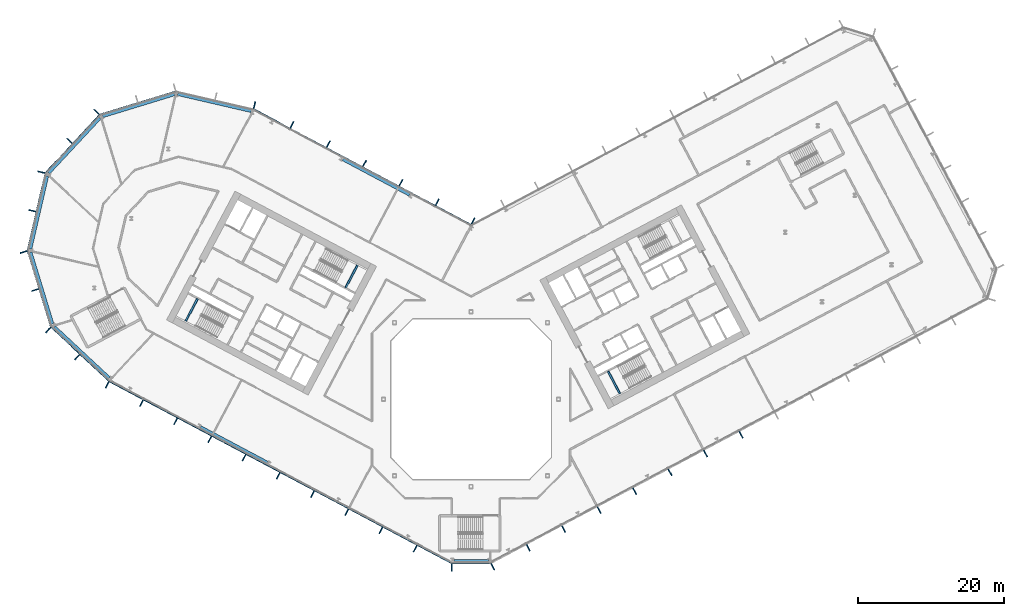
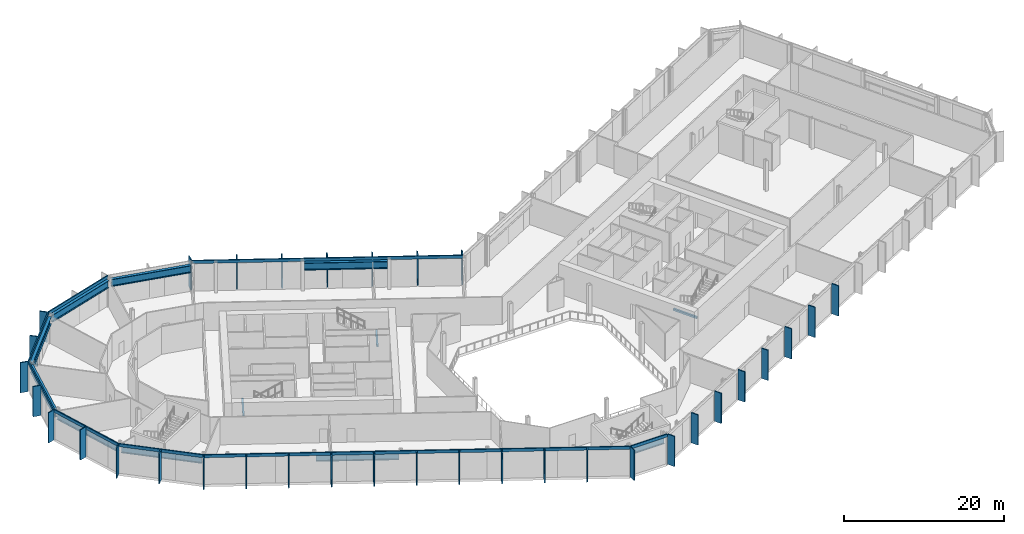
# One storey, part 7 of 30: 42 members, 12 beams, 10 elements without a shape of their own.
"""IFC4 building model written with IfcOpenShell, lengths in metres."""

from ifc_helpers import new_model, si_unit, direction, frame, origin, origin_2d, place, context, subcontext, project, spatial, rectangle, i_section, extrude, material, layer, layer_set, material_profile, profile_set, type_object, element, aggregate, save


model = new_model("IFC4")

# Units and contexts
model_context = context("Model", 3, precision=1e-05, world=origin(), true_north=direction((0.0, 1.0)))
body_context = subcontext(model_context, "Body", "Model", "MODEL_VIEW")
ifc_project = project(units=[si_unit("LENGTHUNIT", "METRE"), si_unit("AREAUNIT", "SQUARE_METRE"), si_unit("VOLUMEUNIT", "CUBIC_METRE"), si_unit("PLANEANGLEUNIT", "RADIAN"), si_unit("MASSUNIT", "GRAM", prefix="KILO")], contexts=[model_context])

# Site, building, storey
site_placement = place(None, origin())
site = spatial("IfcSite", under=ifc_project, at=site_placement, CompositionType="ELEMENT")
building_placement = place(site_placement, origin())
building = spatial("IfcBuilding", under=site, at=building_placement, Name="Cormorant Relay Tower", CompositionType="ELEMENT")
storey_placement = place(building_placement, frame((0.0, 0.0, 84.60009765625)))
storey = spatial("IfcBuildingStorey", under=building, at=storey_placement, Name="L16", CompositionType="ELEMENT", Elevation=84.60009765625)

# Curtain wall, member
ifc_material_1 = material(Name="Aluminium 6063-T6 anodised bronze", Category="aluminium")
ifc_layer = layer(ifc_material_1, 0.199951171875)
ifc_layer_set = layer_set([ifc_layer], Name="CW1 unitised bronze curtain wall with vertical fins")
curtain_wall_type = type_object("IfcCurtainWallType", Name="CW1 unitised bronze curtain wall with vertical fins", PredefinedType="NOTDEFINED", material=ifc_layer_set)
curtain_wall_1_placement = place(storey_placement, origin())
curtain_wall_1 = element("IfcCurtainWall", 1, at=curtain_wall_1_placement, inside=storey, type_object=curtain_wall_type, Name="CW1 curtain wall 1", PredefinedType="NOTDEFINED")
ifc_material_2 = material(Name="Aluminium 6063-T6 anodised bronze", Category="aluminium")
ifc_material_profile_1 = material_profile(ifc_material_2, rectangle(XDim=0.14990234375, YDim=1.0, at=origin_2d()), Name="AL 150x1000")
ifc_profile_set_1 = profile_set([ifc_material_profile_1], Name="Aluminium 6063-T6 anodised bronze")
member_type_1 = type_object("IfcMemberType", Name="CW1 bronze fin mullion 150 x 1000", PredefinedType="MULLION", material=ifc_profile_set_1)
member_1_placement = place(storey_placement, frame((-2.648681640625, -23.07568359375, 0.0), z_axis=(0.0, 0.0, 1.0), x_axis=(1.0, 0.0, 0.0)))
member_1 = element("IfcMember", 2, at=member_1_placement, type_object=member_type_1, Name="CW1 fin 1.1", PredefinedType="MULLION", context=body_context, shape_type="SweptSolid", body=[
    extrude(rectangle(XDim=0.14990234375, YDim=1.0, at=origin_2d()), origin(), (0.0, 0.0, 1.0), 4.599853515625),
])

# Curtain wall, members
curtain_wall_2_placement = place(storey_placement, origin())
curtain_wall_2 = element("IfcCurtainWall", 3, at=curtain_wall_2_placement, inside=storey, type_object=curtain_wall_type, Name="CW1 curtain wall 2", PredefinedType="NOTDEFINED")
member_2_placement = place(storey_placement, frame((2.9775390625, -22.99365234375, 0.0), z_axis=(0.0, 0.0, 1.0), x_axis=(0.882947592859, 0.469471562786, 0.0)))
member_2 = element("IfcMember", 4, at=member_2_placement, type_object=member_type_1, Name="CW1 fin 2.1", PredefinedType="MULLION", context=body_context, shape_type="SweptSolid", body=[
    extrude(rectangle(XDim=0.14990234375, YDim=1.0, at=origin_2d()), origin(), (0.0, 0.0, 1.0), 4.599853515625),
])
member_3_placement = place(storey_placement, frame((7.843994140625, -20.406005859375, 0.0), z_axis=(0.0, 0.0, 1.0), x_axis=(0.882947592859, 0.469471562786, 0.0)))
member_3 = element("IfcMember", 5, at=member_3_placement, type_object=member_type_1, Name="CW1 fin 2.2", PredefinedType="MULLION", context=body_context, shape_type="SweptSolid", body=[
    extrude(rectangle(XDim=0.14990234375, YDim=1.0, at=origin_2d()), origin(), (0.0, 0.0, 1.0), 4.599853515625),
])
member_4_placement = place(storey_placement, frame((12.710693359375, -17.818359375, 0.0), z_axis=(0.0, 0.0, 1.0), x_axis=(0.882947592859, 0.469471562786, 0.0)))
member_4 = element("IfcMember", 6, at=member_4_placement, type_object=member_type_1, Name="CW1 fin 2.3", PredefinedType="MULLION", context=body_context, shape_type="SweptSolid", body=[
    extrude(rectangle(XDim=0.14990234375, YDim=1.0, at=origin_2d()), origin(), (0.0, 0.0, 1.0), 4.599853515625),
])
member_5_placement = place(storey_placement, frame((17.577392578125, -15.230712890625, 0.0), z_axis=(0.0, 0.0, 1.0), x_axis=(0.882947592859, 0.469471562786, 0.0)))
member_5 = element("IfcMember", 7, at=member_5_placement, type_object=member_type_1, Name="CW1 fin 2.4", PredefinedType="MULLION", context=body_context, shape_type="SweptSolid", body=[
    extrude(rectangle(XDim=0.14990234375, YDim=1.0, at=origin_2d()), origin(), (0.0, 0.0, 1.0), 4.599853515625),
])
member_6_placement = place(storey_placement, frame((22.444091796875, -12.64306640625, 0.0), z_axis=(0.0, 0.0, 1.0), x_axis=(0.882947592859, 0.469471562786, 0.0)))
member_6 = element("IfcMember", 8, at=member_6_placement, type_object=member_type_1, Name="CW1 fin 2.5", PredefinedType="MULLION", context=body_context, shape_type="SweptSolid", body=[
    extrude(rectangle(XDim=0.14990234375, YDim=1.0, at=origin_2d()), origin(), (0.0, 0.0, 1.0), 4.599853515625),
])
member_7_placement = place(storey_placement, frame((27.310791015625, -10.055419921875, 0.0), z_axis=(0.0, 0.0, 1.0), x_axis=(0.882947592859, 0.469471562786, 0.0)))
member_7 = element("IfcMember", 9, at=member_7_placement, type_object=member_type_1, Name="CW1 fin 2.6", PredefinedType="MULLION", context=body_context, shape_type="SweptSolid", body=[
    extrude(rectangle(XDim=0.14990234375, YDim=1.0, at=origin_2d()), origin(), (0.0, 0.0, 1.0), 4.599853515625),
])
member_8_placement = place(storey_placement, frame((32.177490234375, -7.4677734375, 0.0), z_axis=(0.0, 0.0, 1.0), x_axis=(0.882947592859, 0.469471562786, 0.0)))
member_8 = element("IfcMember", 10, at=member_8_placement, type_object=member_type_1, Name="CW1 fin 2.7", PredefinedType="MULLION", context=body_context, shape_type="SweptSolid", body=[
    extrude(rectangle(XDim=0.14990234375, YDim=1.0, at=origin_2d()), origin(), (0.0, 0.0, 1.0), 4.599853515625),
])
member_9_placement = place(storey_placement, frame((37.044189453125, -4.8798828125, 0.0), z_axis=(0.0, 0.0, 1.0), x_axis=(0.882947592859, 0.469471562786, 0.0)))
member_9 = element("IfcMember", 11, at=member_9_placement, type_object=member_type_1, Name="CW1 fin 2.8", PredefinedType="MULLION", context=body_context, shape_type="SweptSolid", body=[
    extrude(rectangle(XDim=0.14990234375, YDim=1.0, at=origin_2d()), origin(), (0.0, 0.0, 1.0), 4.599853515625),
])
aggregate(curtain_wall_2, [member_2, member_3, member_4, member_5, member_6, member_7, member_8, member_9])

curtain_wall_3_placement = place(storey_placement, origin())
curtain_wall_3 = element("IfcCurtainWall", 12, at=curtain_wall_3_placement, inside=storey, type_object=curtain_wall_type, Name="CW1 curtain wall 7", PredefinedType="NOTDEFINED")
member_10_placement = place(storey_placement, frame((0.262451171875, 24.437255859375, 0.0), z_axis=(0.0, 0.0, 1.0), x_axis=(-0.882947592859, 0.469471562786, 0.0)))
member_10 = element("IfcMember", 13, at=member_10_placement, type_object=member_type_1, Name="CW1 fin 7.1", PredefinedType="MULLION", context=body_context, shape_type="SweptSolid", body=[
    extrude(rectangle(XDim=0.14990234375, YDim=1.0, at=origin_2d()), origin(), (0.0, 0.0, 1.0), 4.599853515625),
])
member_11_placement = place(storey_placement, frame((-4.650390625, 27.04931640625, 0.0), z_axis=(0.0, 0.0, 1.0), x_axis=(-0.882947592859, 0.469471562786, 0.0)))
member_11 = element("IfcMember", 14, at=member_11_placement, type_object=member_type_1, Name="CW1 fin 7.2", PredefinedType="MULLION", context=body_context, shape_type="SweptSolid", body=[
    extrude(rectangle(XDim=0.14990234375, YDim=1.0, at=origin_2d()), origin(), (0.0, 0.0, 1.0), 4.599853515625),
])
member_12_placement = place(storey_placement, frame((-9.62939453125, 29.69677734375, 0.0), z_axis=(0.0, 0.0, 1.0), x_axis=(-0.882947592859, 0.469471562786, 0.0)))
member_12 = element("IfcMember", 15, at=member_12_placement, type_object=member_type_1, Name="CW1 fin 7.3", PredefinedType="MULLION", context=body_context, shape_type="SweptSolid", body=[
    extrude(rectangle(XDim=0.14990234375, YDim=1.0, at=origin_2d()), origin(), (0.0, 0.0, 1.0), 4.599853515625),
])
member_13_placement = place(storey_placement, frame((-14.608154296875, 32.343994140625, 0.0), z_axis=(0.0, 0.0, 1.0), x_axis=(-0.882947592859, 0.469471562786, 0.0)))
member_13 = element("IfcMember", 16, at=member_13_placement, type_object=member_type_1, Name="CW1 fin 7.4", PredefinedType="MULLION", context=body_context, shape_type="SweptSolid", body=[
    extrude(rectangle(XDim=0.14990234375, YDim=1.0, at=origin_2d()), origin(), (0.0, 0.0, 1.0), 4.599853515625),
])
member_14_placement = place(storey_placement, frame((-19.587158203125, 34.991455078125, 0.0), z_axis=(0.0, 0.0, 1.0), x_axis=(-0.882947592859, 0.469471562786, 0.0)))
member_14 = element("IfcMember", 17, at=member_14_placement, type_object=member_type_1, Name="CW1 fin 7.5", PredefinedType="MULLION", context=body_context, shape_type="SweptSolid", body=[
    extrude(rectangle(XDim=0.14990234375, YDim=1.0, at=origin_2d()), origin(), (0.0, 0.0, 1.0), 4.599853515625),
])
member_15_placement = place(storey_placement, frame((-24.566162109375, 37.638916015625, 0.0), z_axis=(0.0, 0.0, 1.0), x_axis=(-0.882947592859, 0.469471562786, 0.0)))
member_15 = element("IfcMember", 18, at=member_15_placement, type_object=member_type_1, Name="CW1 fin 7.6", PredefinedType="MULLION", context=body_context, shape_type="SweptSolid", body=[
    extrude(rectangle(XDim=0.14990234375, YDim=1.0, at=origin_2d()), origin(), (0.0, 0.0, 1.0), 4.599853515625),
])

# Curtain wall, member
curtain_wall_4_placement = place(storey_placement, origin())
curtain_wall_4 = element("IfcCurtainWall", 19, at=curtain_wall_4_placement, inside=storey, type_object=curtain_wall_type, Name="CW1 curtain wall 8", PredefinedType="NOTDEFINED")
member_16_placement = place(storey_placement, frame((-29.71630859375, 40.35009765625, 0.0), z_axis=(0.0, 0.0, 1.0), x_axis=(-0.974370064785, 0.224951054344, 0.0)))
member_16 = element("IfcMember", 20, at=member_16_placement, type_object=member_type_1, Name="CW1 fin 8.1", PredefinedType="MULLION", context=body_context, shape_type="SweptSolid", body=[
    extrude(rectangle(XDim=0.14990234375, YDim=1.0, at=origin_2d()), origin(), (0.0, 0.0, 1.0), 4.599853515625),
])
aggregate(curtain_wall_4, [member_16])

# Curtain wall, members
curtain_wall_5_placement = place(storey_placement, origin())
curtain_wall_5 = element("IfcCurtainWall", 21, at=curtain_wall_5_placement, inside=storey, type_object=curtain_wall_type, Name="CW1 curtain wall 10", PredefinedType="NOTDEFINED")
member_17_placement = place(storey_placement, frame((-51.372802734375, 39.41259765625, 0.0), z_axis=(0.0, 0.0, 1.0), x_axis=(-0.681998360062, -0.731353701619, 0.0)))
member_17 = element("IfcMember", 22, at=member_17_placement, type_object=member_type_1, Name="CW1 fin 10.1", PredefinedType="MULLION", context=body_context, shape_type="SweptSolid", body=[
    extrude(rectangle(XDim=0.14990234375, YDim=1.0, at=origin_2d()), origin(), (0.0, 0.0, 1.0), 4.599853515625),
])
member_18_placement = place(storey_placement, frame((-55.07958984375, 35.4375, 0.0), z_axis=(0.0, 0.0, 1.0), x_axis=(-0.681998360062, -0.731353701619, 0.0)))
member_18 = element("IfcMember", 23, at=member_18_placement, type_object=member_type_1, Name="CW1 fin 10.2", PredefinedType="MULLION", context=body_context, shape_type="SweptSolid", body=[
    extrude(rectangle(XDim=0.14990234375, YDim=1.0, at=origin_2d()), origin(), (0.0, 0.0, 1.0), 4.599853515625),
])

curtain_wall_6_placement = place(storey_placement, origin())
curtain_wall_6 = element("IfcCurtainWall", 24, at=curtain_wall_6_placement, inside=storey, type_object=curtain_wall_type, Name="CW1 curtain wall 11", PredefinedType="NOTDEFINED")
member_19_placement = place(storey_placement, frame((-58.95654296875, 31.142578125, 0.0), z_axis=(0.0, 0.0, 1.0), x_axis=(-0.224951054344, -0.974370064785, 0.0)))
member_19 = element("IfcMember", 25, at=member_19_placement, type_object=member_type_1, Name="CW1 fin 11.1", PredefinedType="MULLION", context=body_context, shape_type="SweptSolid", body=[
    extrude(rectangle(XDim=0.14990234375, YDim=1.0, at=origin_2d()), origin(), (0.0, 0.0, 1.0), 4.599853515625),
])
member_20_placement = place(storey_placement, frame((-60.17919921875, 25.8466796875, 0.0), z_axis=(0.0, 0.0, 1.0), x_axis=(-0.224951054344, -0.974370064785, 0.0)))
member_20 = element("IfcMember", 26, at=member_20_placement, type_object=member_type_1, Name="CW1 fin 11.2", PredefinedType="MULLION", context=body_context, shape_type="SweptSolid", body=[
    extrude(rectangle(XDim=0.14990234375, YDim=1.0, at=origin_2d()), origin(), (0.0, 0.0, 1.0), 4.599853515625),
])

curtain_wall_7_placement = place(storey_placement, origin())
curtain_wall_7 = element("IfcCurtainWall", 27, at=curtain_wall_7_placement, inside=storey, type_object=curtain_wall_type, Name="CW1 curtain wall 12", PredefinedType="NOTDEFINED")
member_21_placement = place(storey_placement, frame((-61.389404296875, 20.188720703125, 0.0), z_axis=(0.0, 0.0, 1.0), x_axis=(0.292371704723, -0.956304755963, 0.0)))
member_21 = element("IfcMember", 28, at=member_21_placement, type_object=member_type_1, Name="CW1 fin 12.1", PredefinedType="MULLION", context=body_context, shape_type="SweptSolid", body=[
    extrude(rectangle(XDim=0.14990234375, YDim=1.0, at=origin_2d()), origin(), (0.0, 0.0, 1.0), 4.599853515625),
])
member_22_placement = place(storey_placement, frame((-59.80029296875, 14.990966796875, 0.0), z_axis=(0.0, 0.0, 1.0), x_axis=(0.292371704723, -0.956304755963, 0.0)))
member_22 = element("IfcMember", 29, at=member_22_placement, type_object=member_type_1, Name="CW1 fin 12.2", PredefinedType="MULLION", context=body_context, shape_type="SweptSolid", body=[
    extrude(rectangle(XDim=0.14990234375, YDim=1.0, at=origin_2d()), origin(), (0.0, 0.0, 1.0), 4.599853515625),
])

curtain_wall_8_placement = place(storey_placement, origin())
curtain_wall_8 = element("IfcCurtainWall", 30, at=curtain_wall_8_placement, inside=storey, type_object=curtain_wall_type, Name="CW1 curtain wall 13", PredefinedType="NOTDEFINED")
member_23_placement = place(storey_placement, frame((-58.01904296875, 9.486083984375, 0.0), z_axis=(0.0, 0.0, 1.0), x_axis=(0.731353701619, -0.681998360062, 0.0)))
member_23 = element("IfcMember", 31, at=member_23_placement, type_object=member_type_1, Name="CW1 fin 13.1", PredefinedType="MULLION", context=body_context, shape_type="SweptSolid", body=[
    extrude(rectangle(XDim=0.14990234375, YDim=1.0, at=origin_2d()), origin(), (0.0, 0.0, 1.0), 4.599853515625),
])
member_24_placement = place(storey_placement, frame((-54.0439453125, 5.779296875, 0.0), z_axis=(0.0, 0.0, 1.0), x_axis=(0.731353701619, -0.681998360062, 0.0)))
member_24 = element("IfcMember", 32, at=member_24_placement, type_object=member_type_1, Name="CW1 fin 13.2", PredefinedType="MULLION", context=body_context, shape_type="SweptSolid", body=[
    extrude(rectangle(XDim=0.14990234375, YDim=1.0, at=origin_2d()), origin(), (0.0, 0.0, 1.0), 4.599853515625),
])

curtain_wall_9_placement = place(storey_placement, origin())
curtain_wall_9 = element("IfcCurtainWall", 33, at=curtain_wall_9_placement, inside=storey, type_object=curtain_wall_type, Name="CW1 curtain wall 14", PredefinedType="NOTDEFINED")
member_25_placement = place(storey_placement, frame((-49.920166015625, 1.96630859375, 0.0), z_axis=(0.0, 0.0, 1.0), x_axis=(0.882947592859, -0.469471562786, 0.0)))
member_25 = element("IfcMember", 34, at=member_25_placement, type_object=member_type_1, Name="CW1 fin 14.1", PredefinedType="MULLION", context=body_context, shape_type="SweptSolid", body=[
    extrude(rectangle(XDim=0.14990234375, YDim=1.0, at=origin_2d()), origin(), (0.0, 0.0, 1.0), 4.599853515625),
])
member_26_placement = place(storey_placement, frame((-45.225830078125, -0.52978515625, 0.0), z_axis=(0.0, 0.0, 1.0), x_axis=(0.882947592859, -0.469471562786, 0.0)))
member_26 = element("IfcMember", 35, at=member_26_placement, type_object=member_type_1, Name="CW1 fin 14.2", PredefinedType="MULLION", context=body_context, shape_type="SweptSolid", body=[
    extrude(rectangle(XDim=0.14990234375, YDim=1.0, at=origin_2d()), origin(), (0.0, 0.0, 1.0), 4.599853515625),
])
member_27_placement = place(storey_placement, frame((-40.531494140625, -3.025634765625, 0.0), z_axis=(0.0, 0.0, 1.0), x_axis=(0.882947592859, -0.469471562786, 0.0)))
member_27 = element("IfcMember", 36, at=member_27_placement, type_object=member_type_1, Name="CW1 fin 14.3", PredefinedType="MULLION", context=body_context, shape_type="SweptSolid", body=[
    extrude(rectangle(XDim=0.14990234375, YDim=1.0, at=origin_2d()), origin(), (0.0, 0.0, 1.0), 4.599853515625),
])
member_28_placement = place(storey_placement, frame((-35.83740234375, -5.521728515625, 0.0), z_axis=(0.0, 0.0, 1.0), x_axis=(0.882947592859, -0.469471562786, 0.0)))
member_28 = element("IfcMember", 37, at=member_28_placement, type_object=member_type_1, Name="CW1 fin 14.4", PredefinedType="MULLION", context=body_context, shape_type="SweptSolid", body=[
    extrude(rectangle(XDim=0.14990234375, YDim=1.0, at=origin_2d()), origin(), (0.0, 0.0, 1.0), 4.599853515625),
])
member_29_placement = place(storey_placement, frame((-31.14306640625, -8.017578125, 0.0), z_axis=(0.0, 0.0, 1.0), x_axis=(0.882947592859, -0.469471562786, 0.0)))
member_29 = element("IfcMember", 38, at=member_29_placement, type_object=member_type_1, Name="CW1 fin 14.5", PredefinedType="MULLION", context=body_context, shape_type="SweptSolid", body=[
    extrude(rectangle(XDim=0.14990234375, YDim=1.0, at=origin_2d()), origin(), (0.0, 0.0, 1.0), 4.599853515625),
])
member_30_placement = place(storey_placement, frame((-26.44873046875, -10.513671875, 0.0), z_axis=(0.0, 0.0, 1.0), x_axis=(0.882947592859, -0.469471562786, 0.0)))
member_30 = element("IfcMember", 39, at=member_30_placement, type_object=member_type_1, Name="CW1 fin 14.6", PredefinedType="MULLION", context=body_context, shape_type="SweptSolid", body=[
    extrude(rectangle(XDim=0.14990234375, YDim=1.0, at=origin_2d()), origin(), (0.0, 0.0, 1.0), 4.599853515625),
])
member_31_placement = place(storey_placement, frame((-21.754638671875, -13.009765625, 0.0), z_axis=(0.0, 0.0, 1.0), x_axis=(0.882947592859, -0.469471562786, 0.0)))
member_31 = element("IfcMember", 40, at=member_31_placement, type_object=member_type_1, Name="CW1 fin 14.7", PredefinedType="MULLION", context=body_context, shape_type="SweptSolid", body=[
    extrude(rectangle(XDim=0.14990234375, YDim=1.0, at=origin_2d()), origin(), (0.0, 0.0, 1.0), 4.599853515625),
])
member_32_placement = place(storey_placement, frame((-17.060302734375, -15.505615234375, 0.0), z_axis=(0.0, 0.0, 1.0), x_axis=(0.882947592859, -0.469471562786, 0.0)))
member_32 = element("IfcMember", 41, at=member_32_placement, type_object=member_type_1, Name="CW1 fin 14.8", PredefinedType="MULLION", context=body_context, shape_type="SweptSolid", body=[
    extrude(rectangle(XDim=0.14990234375, YDim=1.0, at=origin_2d()), origin(), (0.0, 0.0, 1.0), 4.599853515625),
])
member_33_placement = place(storey_placement, frame((-12.365966796875, -18.001708984375, 0.0), z_axis=(0.0, 0.0, 1.0), x_axis=(0.882947592859, -0.469471562786, 0.0)))
member_33 = element("IfcMember", 42, at=member_33_placement, type_object=member_type_1, Name="CW1 fin 14.9", PredefinedType="MULLION", context=body_context, shape_type="SweptSolid", body=[
    extrude(rectangle(XDim=0.14990234375, YDim=1.0, at=origin_2d()), origin(), (0.0, 0.0, 1.0), 4.599853515625),
])
member_34_placement = place(storey_placement, frame((-7.671630859375, -20.49755859375, 0.0), z_axis=(0.0, 0.0, 1.0), x_axis=(0.882947592859, -0.469471562786, 0.0)))
member_34 = element("IfcMember", 43, at=member_34_placement, type_object=member_type_1, Name="CW1 fin 14.10", PredefinedType="MULLION", context=body_context, shape_type="SweptSolid", body=[
    extrude(rectangle(XDim=0.14990234375, YDim=1.0, at=origin_2d()), origin(), (0.0, 0.0, 1.0), 4.599853515625),
])

# Member
ifc_material_3 = material(Name="Aluminium 6063-T6 anodised bronze", Category="aluminium")
ifc_material_profile_2 = material_profile(ifc_material_3, rectangle(XDim=0.159912109375, YDim=0.449951171875, at=origin_2d()), Name="AL 160x450")
ifc_profile_set_2 = profile_set([ifc_material_profile_2], Name="Aluminium 6063-T6 anodised bronze")
member_type_2 = type_object("IfcMemberType", Name="CW1 bronze transom 160 x 450", PredefinedType="USERDEFINED", material=ifc_profile_set_2)
member_35_placement = place(storey_placement, frame((-2.648681640625, -22.49560546875, 4.375), z_axis=(1.0, 0.0, 0.0), x_axis=(0.0, 1.0, 0.0)))
member_35 = element("IfcMember", 44, at=member_35_placement, type_object=member_type_2, Name="CW1 transom 1", ObjectType="TRANSOM", PredefinedType="USERDEFINED", context=body_context, shape_type="SweptSolid", body=[
    extrude(rectangle(XDim=0.159912109375, YDim=0.449951171875, at=origin_2d()), origin(), (0.0, 0.0, 1.0), 5.29736328125),
])

aggregate(curtain_wall_1, [member_1, member_35])

member_36_placement = place(storey_placement, frame((0.056396484375, 23.889892578125, 4.375), z_axis=(-0.882946280328, 0.46947403129, 0.0), x_axis=(-0.46947403129, -0.882946280328, 0.0)))
member_36 = element("IfcMember", 45, at=member_36_placement, type_object=member_type_2, Name="CW1 transom 7", ObjectType="TRANSOM", PredefinedType="USERDEFINED", context=body_context, shape_type="SweptSolid", body=[
    extrude(rectangle(XDim=0.159912109375, YDim=0.449951171875, at=origin_2d()), origin(), (0.0, 0.0, 1.0), 33.834228515625),
])

aggregate(curtain_wall_3, [member_10, member_11, member_12, member_13, member_14, member_15, member_36])

# Curtain wall, member
curtain_wall_10_placement = place(storey_placement, origin())
curtain_wall_10 = element("IfcCurtainWall", 46, at=curtain_wall_10_placement, inside=storey, type_object=curtain_wall_type, Name="CW1 curtain wall 9", PredefinedType="NOTDEFINED")
member_37_placement = place(storey_placement, frame((-40.50048828125, 42.228271484375, 4.375), z_axis=(-0.956304833932, -0.292371449698, 0.0), x_axis=(0.292371449698, -0.956304833932, 0.0)))
member_37 = element("IfcMember", 47, at=member_37_placement, type_object=member_type_2, Name="CW1 transom 9", ObjectType="TRANSOM", PredefinedType="USERDEFINED", context=body_context, shape_type="SweptSolid", body=[
    extrude(rectangle(XDim=0.159912109375, YDim=0.449951171875, at=origin_2d()), origin(), (0.0, 0.0, 1.0), 10.87060546875),
])
aggregate(curtain_wall_10, [member_37])

# Member
member_38_placement = place(storey_placement, frame((-50.94873046875, 39.01708984375, 4.375), z_axis=(-0.681993299437, -0.731358420696, 0.0), x_axis=(0.731358420696, -0.681993299437, 0.0)))
member_38 = element("IfcMember", 48, at=member_38_placement, type_object=member_type_2, Name="CW1 transom 10", ObjectType="TRANSOM", PredefinedType="USERDEFINED", context=body_context, shape_type="SweptSolid", body=[
    extrude(rectangle(XDim=0.159912109375, YDim=0.449951171875, at=origin_2d()), origin(), (0.0, 0.0, 1.0), 10.870361328125),
])

aggregate(curtain_wall_5, [member_17, member_18, member_38])

member_39_placement = place(storey_placement, frame((-58.3916015625, 31.01220703125, 4.375), z_axis=(-0.22495136131, -0.974369993916, 0.0), x_axis=(0.974369993916, -0.22495136131, 0.0)))
member_39 = element("IfcMember", 49, at=member_39_placement, type_object=member_type_2, Name="CW1 transom 11", ObjectType="TRANSOM", PredefinedType="USERDEFINED", context=body_context, shape_type="SweptSolid", body=[
    extrude(rectangle(XDim=0.159912109375, YDim=0.449951171875, at=origin_2d()), origin(), (0.0, 0.0, 1.0), 10.870361328125),
])

aggregate(curtain_wall_6, [member_19, member_20, member_39])

member_40_placement = place(storey_placement, frame((-60.834716796875, 20.358154296875, 4.375), z_axis=(0.292377729282, -0.95630291405, 0.0), x_axis=(0.95630291405, 0.292377729282, 0.0)))
member_40 = element("IfcMember", 50, at=member_40_placement, type_object=member_type_2, Name="CW1 transom 12", ObjectType="TRANSOM", PredefinedType="USERDEFINED", context=body_context, shape_type="SweptSolid", body=[
    extrude(rectangle(XDim=0.159912109375, YDim=0.449951171875, at=origin_2d()), origin(), (0.0, 0.0, 1.0), 10.870361328125),
])

aggregate(curtain_wall_7, [member_21, member_22, member_40])

member_41_placement = place(storey_placement, frame((-57.62353515625, 9.91015625, 4.375), z_axis=(0.731358420696, -0.681993299437, 0.0), x_axis=(0.681993299437, 0.731358420696, 0.0)))
member_41 = element("IfcMember", 51, at=member_41_placement, type_object=member_type_2, Name="CW1 transom 13", ObjectType="TRANSOM", PredefinedType="USERDEFINED", context=body_context, shape_type="SweptSolid", body=[
    extrude(rectangle(XDim=0.159912109375, YDim=0.449951171875, at=origin_2d()), origin(), (0.0, 0.0, 1.0), 10.870361328125),
])

aggregate(curtain_wall_8, [member_23, member_24, member_41])

member_42_placement = place(storey_placement, frame((-49.64794921875, 2.478515625, 4.375), z_axis=(0.882947642542, -0.469471469346, 0.0), x_axis=(0.469471469346, 0.882947642542, 0.0)))
member_42 = element("IfcMember", 52, at=member_42_placement, type_object=member_type_2, Name="CW1 transom 14", ObjectType="TRANSOM", PredefinedType="USERDEFINED", context=body_context, shape_type="SweptSolid", body=[
    extrude(rectangle(XDim=0.159912109375, YDim=0.449951171875, at=origin_2d()), origin(), (0.0, 0.0, 1.0), 53.166015625),
])

aggregate(curtain_wall_9, [member_25, member_26, member_27, member_28, member_29, member_30, member_31, member_32, member_33, member_34, member_42])

# Beams
ifc_material_4 = material(Name="Steel ASTM A992 (Fy 345 MPa)", Category="steel")
ifc_material_profile_3 = material_profile(ifc_material_4, i_section(OverallWidth=0.40380859375, OverallDepth=1.11767578125, WebThickness=0.026123046875, FlangeThickness=0.044921875, FilletRadius=0.02001953125, at=origin_2d()), Name="W1100x499")
ifc_profile_set_3 = profile_set([ifc_material_profile_3], Name="Steel ASTM A992 (Fy 345 MPa)")
beam_type_1 = type_object("IfcBeamType", Name="Spandrel W1100x499", PredefinedType="SPANDREL", material=ifc_profile_set_3)
beam_1_placement = place(storey_placement, frame((-2.3486328125, -22.173583984375, 3.64111328125), z_axis=(1.0, 0.0, 0.0), x_axis=(0.0, 1.0, 0.0)))
element("IfcBeam", 53, at=beam_1_placement, inside=storey, type_object=beam_type_1, Name="Spandrel beam L16-001", PredefinedType="SPANDREL", context=body_context, shape_type="SweptSolid", body=[
    extrude(i_section(OverallWidth=0.40380859375, OverallDepth=1.11767578125, WebThickness=0.026123046875, FlangeThickness=0.044921875, FilletRadius=0.02001953125, at=origin_2d()), origin(), (0.0, 0.0, 1.0), 4.736083984375),
])
beam_2_placement = place(storey_placement, frame((-8.435302734375, 28.040283203125, 3.64111328125), z_axis=(-0.882946891921, 0.469472881056, 0.0), x_axis=(-0.469472881056, -0.882946891921, 0.0)))
element("IfcBeam", 54, at=beam_2_placement, inside=storey, type_object=beam_type_1, Name="Spandrel beam L16-007", PredefinedType="SPANDREL", context=body_context, shape_type="SweptSolid", body=[
    extrude(i_section(OverallWidth=0.40380859375, OverallDepth=1.11767578125, WebThickness=0.026123046875, FlangeThickness=0.044921875, FilletRadius=0.02001953125, at=origin_2d()), origin(), (0.0, 0.0, 1.0), 10.376220703125),
])
beam_3_placement = place(storey_placement, frame((-30.171142578125, 39.529541015625, 3.64111328125), z_axis=(-0.974368523335, 0.224957730996, 0.0), x_axis=(-0.224957730996, -0.974368523335, 0.0)))
element("IfcBeam", 55, at=beam_3_placement, inside=storey, type_object=beam_type_1, Name="Spandrel beam L16-008", PredefinedType="SPANDREL", context=body_context, shape_type="SweptSolid", body=[
    extrude(i_section(OverallWidth=0.40380859375, OverallDepth=1.11767578125, WebThickness=0.026123046875, FlangeThickness=0.044921875, FilletRadius=0.02001953125, at=origin_2d()), origin(), (0.0, 0.0, 1.0), 10.346923828125),
])
beam_4_placement = place(storey_placement, frame((-40.70166015625, 41.830078125, 3.64111328125), z_axis=(-0.956304442866, -0.292372728814, 0.0), x_axis=(0.292372728814, -0.956304442866, 0.0)))
element("IfcBeam", 56, at=beam_4_placement, inside=storey, type_object=beam_type_1, Name="Spandrel beam L16-009", PredefinedType="SPANDREL", context=body_context, shape_type="SweptSolid", body=[
    extrude(i_section(OverallWidth=0.40380859375, OverallDepth=1.11767578125, WebThickness=0.026123046875, FlangeThickness=0.044921875, FilletRadius=0.02001953125, at=origin_2d()), origin(), (0.0, 0.0, 1.0), 10.297607421875),
])
for number, where, z_axis, x_axis, name in (
    (57, (-50.924072265625, 38.571533203125, 3.64111328125), (-0.681993790146, -0.731357963108, 0.0), (0.731357963108, -0.681993790146, 0.0), "Spandrel beam L16-010"),
    (58, (-58.147216796875, 30.638671875, 3.64111328125), (-0.224939161738, -0.974372810333, 0.0), (0.974372810333, -0.224939161738, 0.0), "Spandrel beam L16-011"),
):
    element("IfcBeam", number, at=place(storey_placement, frame(where, z_axis=z_axis, x_axis=x_axis)), inside=storey, type_object=beam_type_1, Name=name, PredefinedType="SPANDREL", context=body_context, shape_type="SweptSolid", body=[
        extrude(i_section(OverallWidth=0.40380859375, OverallDepth=1.11767578125, WebThickness=0.026123046875, FlangeThickness=0.044921875, FilletRadius=0.02001953125, at=origin_2d()), origin(), (0.0, 0.0, 1.0), 10.296875),
    ])
beam_5_placement = place(storey_placement, frame((-60.4365234375, 20.1572265625, 3.64111328125), z_axis=(0.292372728814, -0.956304442866, 0.0), x_axis=(0.956304442866, 0.292372728814, 0.0)))
element("IfcBeam", 59, at=beam_5_placement, inside=storey, type_object=beam_type_1, Name="Spandrel beam L16-012", PredefinedType="SPANDREL", context=body_context, shape_type="SweptSolid", body=[
    extrude(i_section(OverallWidth=0.40380859375, OverallDepth=1.11767578125, WebThickness=0.026123046875, FlangeThickness=0.044921875, FilletRadius=0.02001953125, at=origin_2d()), origin(), (0.0, 0.0, 1.0), 10.297607421875),
])
beam_6_placement = place(storey_placement, frame((-57.177734375, 9.934814453125, 3.64111328125), z_axis=(0.731345431457, -0.682007228617, 0.0), x_axis=(0.682007228617, 0.731345431457, 0.0)))
element("IfcBeam", 60, at=beam_6_placement, inside=storey, type_object=beam_type_1, Name="Spandrel beam L16-013", PredefinedType="SPANDREL", context=body_context, shape_type="SweptSolid", body=[
    extrude(i_section(OverallWidth=0.40380859375, OverallDepth=1.11767578125, WebThickness=0.026123046875, FlangeThickness=0.044921875, FilletRadius=0.02001953125, at=origin_2d()), origin(), (0.0, 0.0, 1.0), 10.322265625),
])
beam_7_placement = place(storey_placement, frame((-37.124755859375, -3.815673828125, 3.64111328125), z_axis=(0.882946891921, -0.469472881056, 0.0), x_axis=(0.469472881056, 0.882946891921, 0.0)))
element("IfcBeam", 61, at=beam_7_placement, inside=storey, type_object=beam_type_1, Name="Spandrel beam L16-014", PredefinedType="SPANDREL", context=body_context, shape_type="SweptSolid", body=[
    extrude(i_section(OverallWidth=0.40380859375, OverallDepth=1.11767578125, WebThickness=0.026123046875, FlangeThickness=0.044921875, FilletRadius=0.02001953125, at=origin_2d()), origin(), (0.0, 0.0, 1.0), 10.376220703125),
])
ifc_material_5 = material(Name="Concrete 50 MPa", Category="concrete")
ifc_material_profile_4 = material_profile(ifc_material_5, rectangle(XDim=0.25, YDim=0.300048828125, at=origin_2d()), Name="RC 250x300")
ifc_profile_set_4 = profile_set([ifc_material_profile_4], Name="Concrete 50 MPa")
beam_type_2 = type_object("IfcBeamType", Name="Stair landing ledge beam 250x300", PredefinedType="BEAM", material=ifc_profile_set_4)
beam_8_placement = place(storey_placement, frame((-17.215087890625, 15.325927734375, 1.949951171875), z_axis=(0.469519084434, 0.88292232351, 0.0), x_axis=(-0.88292232351, 0.469519084434, 0.0)))
element("IfcBeam", 62, at=beam_8_placement, inside=storey, type_object=beam_type_2, Name="A1 landing ledge beam", PredefinedType="BEAM", context=body_context, shape_type="SweptSolid", body=[
    extrude(rectangle(XDim=0.25, YDim=0.300048828125, at=origin_2d()), origin(), (0.0, 0.0, 1.0), 3.449951171875),
])
for number, where, z_axis, x_axis, name in (
    (63, (-37.52783203125, 13.781494140625, 1.949951171875), (-0.469434585424, -0.882967253078, 0.0), (0.882967253078, -0.469434585424, 0.0), "A2 landing ledge beam"),
    (64, (18.80029296875, 3.823974609375, 1.949951171875), (0.469489750874, -0.88293792184, 0.0), (0.88293792184, 0.469489750874, 0.0), "B1 landing ledge beam"),
):
    element("IfcBeam", number, at=place(storey_placement, frame(where, z_axis=z_axis, x_axis=x_axis)), inside=storey, type_object=beam_type_2, Name=name, PredefinedType="BEAM", context=body_context, shape_type="SweptSolid", body=[
        extrude(rectangle(XDim=0.25, YDim=0.300048828125, at=origin_2d()), origin(), (0.0, 0.0, 1.0), 3.4501953125),
    ])

save(model, "model.ifc")
